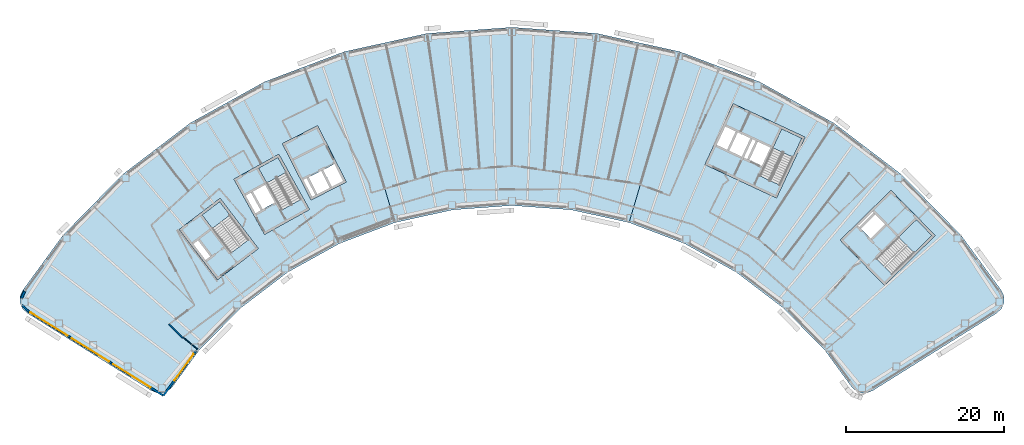
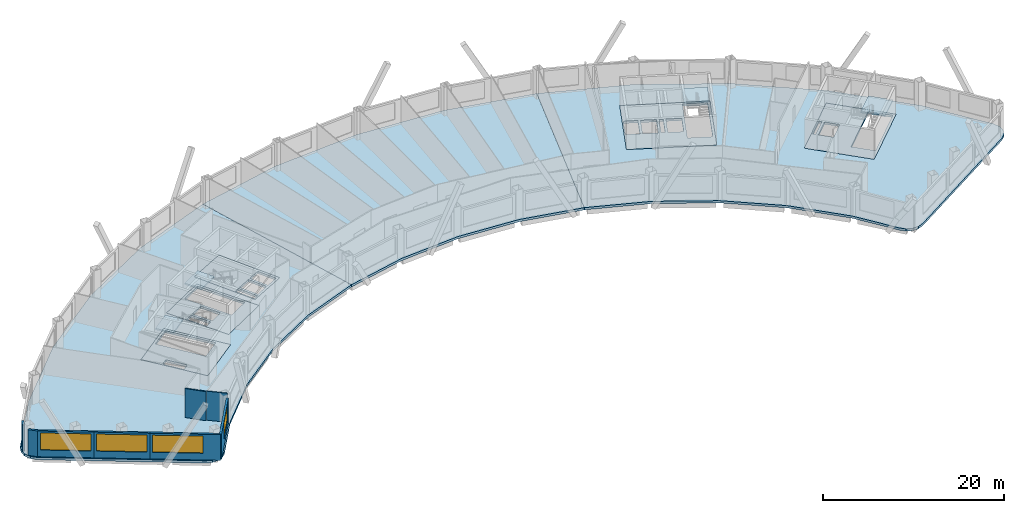
# One storey, part 4 of 13: 12 slabs, 8 walls, 4 windows, 4 openings, 4 elements without a shape of their own.
"""IFC4 building model written with IfcOpenShell, lengths in metres."""

from ifc_helpers import new_model, si_unit, direction, frame, frame_2d, origin, place, context, subcontext, project, spatial, polyline, rectangle, outline, extrude, material, layer, layer_set, type_object, element, fill, aggregate, save


model = new_model("IFC4")

# Units and contexts
model_context = context("Model", 3, precision=1e-05, world=origin(), true_north=direction((0.0, 1.0)))
body_context = subcontext(model_context, "Body", "Model", "MODEL_VIEW")
ifc_project = project(units=[si_unit("LENGTHUNIT", "METRE"), si_unit("AREAUNIT", "SQUARE_METRE"), si_unit("VOLUMEUNIT", "CUBIC_METRE"), si_unit("PLANEANGLEUNIT", "RADIAN"), si_unit("MASSUNIT", "GRAM", prefix="KILO")], contexts=[model_context])

# Site, building, storey
site_placement = place(None, origin())
site = spatial("IfcSite", under=ifc_project, at=site_placement, CompositionType="ELEMENT")
building_placement = place(site_placement, origin())
building = spatial("IfcBuilding", under=site, at=building_placement, Name="Tuul Gate Civic Tower", CompositionType="ELEMENT")
storey_placement = place(building_placement, frame((0.0, 0.0, 180.5)))
storey = spatial("IfcBuildingStorey", under=building, at=storey_placement, Name="Level 41", CompositionType="ELEMENT", Elevation=180.5)

# Slabs
ifc_material_1 = material(Name="Concrete C40/50", Category="concrete")
ifc_layer_1 = layer(ifc_material_1, 0.300048828125)
ifc_layer_set_1 = layer_set([ifc_layer_1], Name="Concrete C40/50")
slab_type_1 = type_object("IfcSlabType", Name="Core floor slab 300", PredefinedType="FLOOR", material=ifc_layer_set_1)
slab_1_placement = place(storey_placement, frame((0.0, 0.0, -0.300048828125)))
element("IfcSlab", 1, at=slab_1_placement, inside=storey, type_object=slab_type_1, Name="FLOOR SLAB", PredefinedType="FLOOR", context=body_context, shape_type="SweptSolid", body=[
    extrude(outline(polyline([(-31.10009765625, -13.7890625), (-35.946044921875, -7.423828125), (-41.11767578125, -11.361572265625), (-36.271484375, -17.726806640625), (-31.10009765625, -13.7890625)]), holes=[polyline([(-37.19287109375, -14.783203125), (-38.737548828125, -12.75439453125), (-39.45361328125, -13.299560546875), (-37.908935546875, -15.328369140625), (-37.19287109375, -14.783203125)]), polyline([(-32.33935546875, -12.65771484375), (-34.56591796875, -14.352783203125), (-38.229736328125, -9.54052734375), (-36.003173828125, -7.845458984375), (-32.33935546875, -12.65771484375)])]), origin(), (0.0, 0.0, 1.0), 0.300048828125),
])
slab_2_placement = place(storey_placement, frame((0.0, 0.0, -0.300048828125)))
element("IfcSlab", 2, at=slab_2_placement, inside=storey, type_object=slab_type_1, Name="FLOOR SLAB", PredefinedType="FLOOR", context=body_context, shape_type="SweptSolid", body=[
    extrude(outline(polyline([(-24.638916015625, -8.846923828125), (-28.51708984375, -1.849853515625), (-34.2021484375, -5.0009765625), (-30.32421875, -11.998046875), (-24.638916015625, -8.846923828125)]), holes=[polyline([(-29.0185546875, -7.958740234375), (-30.254638671875, -5.728515625), (-31.785400390625, -6.576904296875), (-30.54931640625, -8.80712890625), (-29.0185546875, -7.958740234375)]), polyline([(-30.8115234375, -8.95263671875), (-32.047607421875, -6.72216796875), (-32.8349609375, -7.158447265625), (-31.5986328125, -9.388916015625), (-30.8115234375, -8.95263671875)]), polyline([(-25.702392578125, -7.548828125), (-28.14990234375, -8.905517578125), (-31.08203125, -3.615234375), (-28.63427734375, -2.2587890625), (-25.702392578125, -7.548828125)])]), origin(), (0.0, 0.0, 1.0), 0.300048828125),
])
slab_3_placement = place(storey_placement, frame((0.0, 0.0, -0.300048828125)))
element("IfcSlab", 3, at=slab_3_placement, inside=storey, type_object=slab_type_1, Name="FLOOR SLAB", PredefinedType="FLOOR", context=body_context, shape_type="SweptSolid", body=[
    extrude(outline(polyline([(48.117919921875, -18.43310546875), (54.545166015625, -12.1328125), (48.945068359375, -6.419921875), (42.517822265625, -12.719970703125), (48.117919921875, -18.43310546875)]), holes=[polyline([(46.373779296875, -12.510986328125), (48.19482421875, -10.725830078125), (46.969970703125, -9.47607421875), (45.14892578125, -11.26123046875), (46.373779296875, -12.510986328125)]), polyline([(44.93896484375, -11.046875), (46.760009765625, -9.261962890625), (46.514892578125, -9.011962890625), (44.69384765625, -10.797119140625), (44.93896484375, -11.046875)]), polyline([(49.086181640625, -17.062744140625), (47.12744140625, -15.064208984375), (52.160888671875, -10.130126953125), (54.11962890625, -12.128662109375), (49.086181640625, -17.062744140625)])]), origin(), (0.0, 0.0, 1.0), 0.300048828125),
])
slab_4_placement = place(storey_placement, frame((0.0, 0.0, -0.300048828125)))
element("IfcSlab", 4, at=slab_4_placement, inside=storey, type_object=slab_type_1, Name="FLOOR SLAB", PredefinedType="FLOOR", context=body_context, shape_type="SweptSolid", body=[
    extrude(outline(polyline([(34.465087890625, -7.385986328125), (38.056884765625, 0.31787109375), (28.993896484375, 4.543701171875), (25.40185546875, -3.159912109375), (34.465087890625, -7.385986328125)]), holes=[polyline([(32.60888671875, -3.32080078125), (33.6865234375, -1.009765625), (32.1005859375, -0.27001953125), (31.02294921875, -2.581298828125), (32.60888671875, -3.32080078125)]), polyline([(30.0712890625, -2.137451171875), (31.14892578125, 0.173583984375), (29.562744140625, 0.9130859375), (28.4853515625, -1.39794921875), (30.0712890625, -2.137451171875)]), polyline([(30.751220703125, -2.454345703125), (31.82861328125, -0.143310546875), (31.4208984375, 0.046875), (30.34326171875, -2.264404296875), (30.751220703125, -2.454345703125)]), polyline([(28.21337890625, -1.27099609375), (29.291015625, 1.0400390625), (27.8408203125, 1.71630859375), (26.76318359375, -0.594970703125), (28.21337890625, -1.27099609375)]), polyline([(34.889892578125, -5.7626953125), (32.353759765625, -4.580078125), (35.120849609375, 1.354736328125), (37.6572265625, 0.17236328125), (34.889892578125, -5.7626953125)])]), origin(), (0.0, 0.0, 1.0), 0.300048828125),
])
ifc_material_2 = material(Name="Concrete C40/50", Category="concrete")
ifc_layer_2 = layer(ifc_material_2, 0.300048828125)
ifc_layer_set_2 = layer_set([ifc_layer_2], Name="Concrete C40/50")
slab_type_2 = type_object("IfcSlabType", Name="Core floor slab 300 non-bearing", PredefinedType="FLOOR", material=ifc_layer_set_2)
slab_5_placement = place(storey_placement, frame((0.0, 0.0, -0.300048828125)))
element("IfcSlab", 5, at=slab_5_placement, inside=storey, type_object=slab_type_2, Name="FLOOR SLAB", PredefinedType="FLOOR", context=body_context, shape_type="SweptSolid", body=[
    extrude(outline(polyline([(-19.98095703125, -5.365966796875), (-23.613037109375, 1.761962890625), (-28.068115234375, -0.508056640625), (-24.43603515625, -7.635986328125), (-19.98095703125, -5.365966796875)]), holes=[polyline([(-20.384521484375, -5.23486328125), (-21.47412109375, -3.096435546875), (-22.899658203125, -3.822998046875), (-21.81005859375, -5.961181640625), (-20.384521484375, -5.23486328125)]), polyline([(-22.077392578125, -6.097412109375), (-23.1669921875, -3.958984375), (-24.726318359375, -4.753662109375), (-23.63671875, -6.89208984375), (-22.077392578125, -6.097412109375)]), polyline([(-23.8359375, -7.161865234375), (-24.99365234375, -4.889892578125), (-25.5283203125, -5.162109375), (-24.37060546875, -7.434326171875), (-23.8359375, -7.161865234375)])]), origin(), (0.0, 0.0, 1.0), 0.300048828125),
])

# Stair, slab
ifc_material_3 = material(Name="Concrete C40/50", Category="concrete")
stair_type = type_object("IfcStairType", Name="Exit stair", PredefinedType="HALF_TURN_STAIR", material=ifc_material_3)
stair_1_placement = place(storey_placement, origin())
stair_1 = element("IfcStair", 6, at=stair_1_placement, inside=storey, type_object=stair_type, Name="Level 41 ST-1", PredefinedType="HALF_TURN_STAIR")
ifc_material_4 = material(Name="Concrete C40/50", Category="concrete")
ifc_layer_3 = layer(ifc_material_4, 0.199951171875)
ifc_layer_set_3 = layer_set([ifc_layer_3], Name="Concrete C40/50")
slab_type_3 = type_object("IfcSlabType", Name="Exit stair landing", PredefinedType="LANDING", material=ifc_layer_set_3)
slab_6_placement = place(storey_placement, frame((0.0, 0.0, 1.89990234375)))
slab_6 = element("IfcSlab", 7, at=slab_6_placement, type_object=slab_type_3, Name="ST-1 landing 1", PredefinedType="LANDING", context=body_context, shape_type="SweptSolid", body=[
    extrude(outline(polyline([(-34.699462890625, -9.554931640625), (-36.9287109375, -11.252197265625), (-38.23193359375, -9.540283203125), (-36.0029296875, -7.843017578125), (-34.699462890625, -9.554931640625)])), origin(), (0.0, 0.0, 1.0), 0.2001953125),
])
aggregate(stair_1, [slab_6])

stair_2_placement = place(storey_placement, origin())
stair_2 = element("IfcStair", 8, at=stair_2_placement, inside=storey, type_object=stair_type, Name="Level 41 ST-2", PredefinedType="HALF_TURN_STAIR")
slab_7_placement = place(storey_placement, frame((0.0, 0.0, 1.89990234375)))
slab_7 = element("IfcSlab", 9, at=slab_7_placement, type_object=slab_type_3, Name="ST-2 landing 1", PredefinedType="LANDING", context=body_context, shape_type="SweptSolid", body=[
    extrude(outline(polyline([(-27.5908203125, -4.138427734375), (-30.041015625, -5.49658203125), (-31.084228515625, -3.61474609375), (-28.6337890625, -2.256591796875), (-27.5908203125, -4.138427734375)])), origin(), (0.0, 0.0, 1.0), 0.2001953125),
])
aggregate(stair_2, [slab_7])

stair_3_placement = place(storey_placement, origin())
stair_3 = element("IfcStair", 10, at=stair_3_placement, inside=storey, type_object=stair_type, Name="Level 41 ST-3", PredefinedType="HALF_TURN_STAIR")
slab_8_placement = place(storey_placement, frame((0.0, 0.0, 1.89990234375)))
slab_8 = element("IfcSlab", 11, at=slab_8_placement, type_object=slab_type_3, Name="ST-3 landing 1", PredefinedType="LANDING", context=body_context, shape_type="SweptSolid", body=[
    extrude(outline(polyline([(51.871337890625, -14.3349609375), (49.91015625, -12.334228515625), (52.160888671875, -10.1279296875), (54.1220703125, -12.128662109375), (51.871337890625, -14.3349609375)])), origin(), (0.0, 0.0, 1.0), 0.2001953125),
])
aggregate(stair_3, [slab_8])

stair_4_placement = place(storey_placement, origin())
stair_4 = element("IfcStair", 12, at=stair_4_placement, inside=storey, type_object=stair_type, Name="Level 41 ST-4", PredefinedType="HALF_TURN_STAIR")
slab_9_placement = place(storey_placement, frame((0.0, 0.0, 1.89990234375)))
slab_9 = element("IfcSlab", 13, at=slab_9_placement, type_object=slab_type_3, Name="ST-4 landing 1", PredefinedType="LANDING", context=body_context, shape_type="SweptSolid", body=[
    extrude(outline(polyline([(36.538818359375, -2.230224609375), (33.999755859375, -1.046142578125), (35.1201171875, 1.35693359375), (37.659423828125, 0.173095703125), (36.538818359375, -2.230224609375)])), origin(), (0.0, 0.0, 1.0), 0.2001953125),
])
aggregate(stair_4, [slab_9])

# Slabs
ifc_material_5 = material(Name="Concrete C35/45", Category="concrete")
ifc_layer_4 = layer(ifc_material_5, 0.300048828125)
ifc_layer_set_4 = layer_set([ifc_layer_4], Name="Concrete C35/45")
slab_type_4 = type_object("IfcSlabType", Name="STR-FLOOR-SLAB-300", PredefinedType="FLOOR", material=ifc_layer_set_4)
slab_10_placement = place(storey_placement, frame((0.0, 0.0, -0.300048828125)))
element("IfcSlab", 14, at=slab_10_placement, inside=storey, type_object=slab_type_4, Name="Level 41/slab/W", PredefinedType="FLOOR", context=body_context, shape_type="SweptSolid", body=[
    extrude(outline(polyline([(-20.843994140625, -13.154052734375), (-13.823974609375, -10.4990234375), (-20.258056640625, 11.123046875), (-30.326904296875, 7.31494140625), (-39.740966796875, 2.096923828125), (-48.305908203125, -4.424072265625), (-55.841064453125, -12.111083984375), (-60.922119140625, -19.06689453125), (-61.258056640625, -19.81103515625), (-61.27001953125, -20.6259765625), (-60.955078125, -21.37890625), (-60.365966796875, -21.943115234375), (-44.635986328125, -31.77197265625), (-43.94189453125, -32.04296875), (-43.197021484375, -32.0400390625), (-42.5048828125, -31.764892578125), (-41.9609375, -31.256103515625), (-38.632080078125, -26.697998046875), (-33.37890625, -21.337890625), (-27.407958984375, -16.7919921875), (-20.843994140625, -13.154052734375)]), holes=[polyline([(-31.10009765625, -13.7890625), (-36.27197265625, -17.72705078125), (-41.117919921875, -11.362060546875), (-35.946044921875, -7.424072265625), (-31.10009765625, -13.7890625)]), polyline([(-24.638916015625, -8.846923828125), (-30.323974609375, -11.998046875), (-34.201904296875, -5.0009765625), (-28.51708984375, -1.85009765625), (-24.638916015625, -8.846923828125)]), polyline([(-24.43603515625, -7.635986328125), (-28.068115234375, -0.508056640625), (-23.613037109375, 1.761962890625), (-19.98095703125, -5.365966796875), (-24.43603515625, -7.635986328125)])]), origin(), (0.0, 0.0, 1.0), 0.300048828125),
])
slab_11_placement = place(storey_placement, frame((0.0, 0.0, -0.300048828125)))
element("IfcSlab", 15, at=slab_11_placement, inside=storey, type_object=slab_type_4, Name="Level 41/slab/M", PredefinedType="FLOOR", context=body_context, shape_type="SweptSolid", body=[
    extrude(outline(polyline([(15.803955078125, -10.4990234375), (22.238037109375, 11.123046875), (11.72607421875, 13.43994140625), (0.989990234375, 14.217041015625), (-9.74609375, 13.43994140625), (-20.258056640625, 11.123046875), (-13.823974609375, -10.4990234375), (-6.4951171875, -8.884033203125), (0.989990234375, -8.342041015625), (8.47509765625, -8.884033203125), (15.803955078125, -10.4990234375)])), origin(), (0.0, 0.0, 1.0), 0.300048828125),
])
slab_12_placement = place(storey_placement, frame((0.0, 0.0, -0.300048828125)))
element("IfcSlab", 16, at=slab_12_placement, inside=storey, type_object=slab_type_4, Name="Level 41/slab/E", PredefinedType="FLOOR", context=body_context, shape_type="SweptSolid", body=[
    extrude(outline(polyline([(45.922119140625, -32.04296875), (46.615966796875, -31.77197265625), (62.345947265625, -21.943115234375), (62.93505859375, -21.37890625), (63.25, -20.6259765625), (63.238037109375, -19.81103515625), (62.90087890625, -19.06689453125), (57.821044921875, -12.111083984375), (50.284912109375, -4.424072265625), (41.720947265625, 2.096923828125), (32.306884765625, 7.31494140625), (22.238037109375, 11.123046875), (15.803955078125, -10.4990234375), (22.823974609375, -13.154052734375), (29.387939453125, -16.7919921875), (35.35888671875, -21.337890625), (40.612060546875, -26.697998046875), (43.94091796875, -31.256103515625), (44.485107421875, -31.764892578125), (45.177001953125, -32.0400390625), (45.922119140625, -32.04296875)]), holes=[polyline([(48.117919921875, -18.43310546875), (42.51806640625, -12.719970703125), (48.945068359375, -6.419921875), (54.544921875, -12.133056640625), (48.117919921875, -18.43310546875)]), polyline([(25.402099609375, -3.159912109375), (28.993896484375, 4.5439453125), (38.056884765625, 0.318115234375), (34.465087890625, -7.385986328125), (25.402099609375, -3.159912109375)])]), origin(), (0.0, 0.0, 1.0), 0.300048828125),
])

# Walls
ifc_material_6 = material(Name="Gypsum board partition")
ifc_layer_5 = layer(ifc_material_6, 0.14990234375)
ifc_layer_set_5 = layer_set([ifc_layer_5], Name="Gypsum board partition")
wall_type_1 = type_object("IfcWallType", Name="Corridor wall P150", PredefinedType="PARTITIONING", material=ifc_layer_set_5)
wall_1_placement = place(storey_placement, frame((-42.405029296875, -23.3681640625, 0.0), z_axis=(0.0, 0.0, 1.0), x_axis=(0.706037915468, -0.708174033639, 0.0)))
element("IfcWall", 17, at=wall_1_placement, inside=storey, type_object=wall_type_1, Name="p060", PredefinedType="PARTITIONING", context=body_context, shape_type="SweptSolid", body=[
    extrude(rectangle(XDim=2.400146484375, YDim=0.14990234375, at=frame_2d((1.2001953125, 0.0))), origin(), (0.0, 0.0, 1.0), 3.89990234375),
])
ifc_material_7 = material(Name="Precast concrete C40/50", Category="concrete")
ifc_layer_6 = layer(ifc_material_7, 0.25)
ifc_layer_set_6 = layer_set([ifc_layer_6], Name="Precast concrete C40/50")
wall_type_2 = type_object("IfcWallType", Name="External wall", PredefinedType="STANDARD", material=ifc_layer_set_6)
wall_2_placement = place(storey_placement, frame((-60.686279296875, -19.207763671875, 0.0), z_axis=(0.0, 0.0, 1.0), x_axis=(-0.413528765966, -0.910491054167, 0.0)))
element("IfcWall", 18, at=wall_2_placement, inside=storey, type_object=wall_type_2, Name="External wall", PredefinedType="STANDARD", context=body_context, shape_type="SweptSolid", body=[
    extrude(rectangle(XDim=0.939208984375, YDim=0.25, at=frame_2d((0.4697265625, 0.0))), origin(), (0.0, 0.0, 1.0), 3.449951171875),
])
wall_3_placement = place(storey_placement, frame((-60.996826171875, -20.962890625, 0.0), z_axis=(0.0, 0.0, 1.0), x_axis=(0.722107994372, -0.691780344087, 0.0)))
element("IfcWall", 19, at=wall_3_placement, inside=storey, type_object=wall_type_2, Name="External wall", PredefinedType="STANDARD", context=body_context, shape_type="SweptSolid", body=[
    extrude(rectangle(XDim=1.102783203125, YDim=0.25, at=frame_2d((0.55126953125, 0.0))), origin(), (0.0, 0.0, 1.0), 3.449951171875),
])

# Wall, opening, window
wall_4_placement = place(storey_placement, frame((-60.220703125, -21.7099609375, 0.0), z_axis=(0.0, 0.0, 1.0), x_axis=(0.848042669488, -0.529927948619, 0.0)))
wall_4 = element("IfcWall", 20, at=wall_4_placement, inside=storey, type_object=wall_type_2, Name="External wall", PredefinedType="STANDARD", context=body_context, shape_type="SweptSolid", body=[
    extrude(rectangle(XDim=6.1826171875, YDim=0.25, at=frame_2d((3.09130859375, 0.0))), origin(), (0.0, 0.0, 1.0), 3.449951171875),
])
opening_1_placement = place(wall_4_placement, frame((0.31640625, 0.0, 0.89990234375)))
opening_1 = element("IfcOpeningElement", 21, at=opening_1_placement, cuts=wall_4, Name="Opening W24", PredefinedType="OPENING", context=body_context, shape_type="SweptSolid", body=[
    extrude(rectangle(XDim=5.550048828125, YDim=2.300048828125, at=frame_2d((2.77490234375, 1.14990234375))), frame((0.0, 0.135009765625, 0.0), z_axis=(0.0, -1.0, 0.0), x_axis=(1.0, 0.0, 0.0)), (0.0, 0.0, 1.0), 0.27001953125),
])
ifc_material_8 = material(Name="Glass", Category="glass")
window_type_1 = type_object("IfcWindowType", Name="Window W24 5550 x 2300", PartitioningType="SINGLE_PANEL", PredefinedType="WINDOW", material=ifc_material_8)
window_1_placement = place(opening_1_placement, origin())
window_1 = element("IfcWindow", 22, at=window_1_placement, inside=storey, type_object=window_type_1, Name="Window", OverallHeight=2.300048828125, OverallWidth=5.550048828125, PartitioningType="SINGLE_PANEL", PredefinedType="WINDOW", context=body_context, shape_type="SweptSolid", body=[
    extrude(rectangle(XDim=5.550048828125, YDim=2.300048828125, at=frame_2d((2.77490234375, 1.14990234375))), frame((0.0, 0.030029296875, 0.0), z_axis=(0.0, -1.0, 0.0), x_axis=(1.0, 0.0, 0.0)), (0.0, 0.0, 1.0), 0.06005859375),
])
fill(opening_1, window_1)

wall_5_placement = place(storey_placement, frame((-54.9775390625, -24.986328125, 0.0), z_axis=(0.0, 0.0, 1.0), x_axis=(0.848053758074, -0.529910203164, 0.0)))
wall_5 = element("IfcWall", 23, at=wall_5_placement, inside=storey, type_object=wall_type_2, Name="External wall", PredefinedType="STANDARD", context=body_context, shape_type="SweptSolid", body=[
    extrude(rectangle(XDim=6.182861328125, YDim=0.25, at=frame_2d((3.09130859375, 0.0))), origin(), (0.0, 0.0, 1.0), 3.449951171875),
])
opening_2_placement = place(wall_5_placement, frame((0.31640625, 0.0, 0.89990234375)))
opening_2 = element("IfcOpeningElement", 24, at=opening_2_placement, cuts=wall_5, Name="Opening W24", PredefinedType="OPENING", context=body_context, shape_type="SweptSolid", body=[
    extrude(rectangle(XDim=5.550048828125, YDim=2.300048828125, at=frame_2d((2.77490234375, 1.14990234375))), frame((0.0, 0.135009765625, 0.0), z_axis=(0.0, -1.0, 0.0), x_axis=(1.0, 0.0, 0.0)), (0.0, 0.0, 1.0), 0.27001953125),
])
window_2_placement = place(opening_2_placement, origin())
window_2 = element("IfcWindow", 25, at=window_2_placement, inside=storey, type_object=window_type_1, Name="Window", OverallHeight=2.300048828125, OverallWidth=5.550048828125, PartitioningType="SINGLE_PANEL", PredefinedType="WINDOW", context=body_context, shape_type="SweptSolid", body=[
    extrude(rectangle(XDim=5.550048828125, YDim=2.300048828125, at=frame_2d((2.77490234375, 1.14990234375))), frame((0.0, 0.030029296875, 0.0), z_axis=(0.0, -1.0, 0.0), x_axis=(1.0, 0.0, 0.0)), (0.0, 0.0, 1.0), 0.06005859375),
])
fill(opening_2, window_2)

wall_6_placement = place(storey_placement, frame((-49.734130859375, -28.2626953125, 0.0), z_axis=(0.0, 0.0, 1.0), x_axis=(0.848047613046, -0.52992003737, 0.0)))
wall_6 = element("IfcWall", 26, at=wall_6_placement, inside=storey, type_object=wall_type_2, Name="External wall", PredefinedType="STANDARD", context=body_context, shape_type="SweptSolid", body=[
    extrude(rectangle(XDim=7.787841796875, YDim=0.25, at=frame_2d((3.89404296875, 0.0))), origin(), (0.0, 0.0, 1.0), 3.449951171875),
])
opening_3_placement = place(wall_6_placement, frame((0.31640625, 0.0, 0.89990234375)))
opening_3 = element("IfcOpeningElement", 27, at=opening_3_placement, cuts=wall_6, Name="Opening W24", PredefinedType="OPENING", context=body_context, shape_type="SweptSolid", body=[
    extrude(rectangle(XDim=5.550048828125, YDim=2.300048828125, at=frame_2d((2.77490234375, 1.14990234375))), frame((0.0, 0.135009765625, 0.0), z_axis=(0.0, -1.0, 0.0), x_axis=(1.0, 0.0, 0.0)), (0.0, 0.0, 1.0), 0.27001953125),
])
window_3_placement = place(opening_3_placement, origin())
window_3 = element("IfcWindow", 28, at=window_3_placement, inside=storey, type_object=window_type_1, Name="Window", OverallHeight=2.300048828125, OverallWidth=5.550048828125, PartitioningType="SINGLE_PANEL", PredefinedType="WINDOW", context=body_context, shape_type="SweptSolid", body=[
    extrude(rectangle(XDim=5.550048828125, YDim=2.300048828125, at=frame_2d((2.77490234375, 1.14990234375))), frame((0.0, 0.030029296875, 0.0), z_axis=(0.0, -1.0, 0.0), x_axis=(1.0, 0.0, 0.0)), (0.0, 0.0, 1.0), 0.06005859375),
])
fill(opening_3, window_3)

wall_7_placement = place(storey_placement, frame((-43.129638671875, -32.3896484375, 0.0), z_axis=(0.0, 0.0, 1.0), x_axis=(0.589748783254, 0.807586758591, 0.0)))
wall_7 = element("IfcWall", 29, at=wall_7_placement, inside=storey, type_object=wall_type_2, Name="External wall", PredefinedType="STANDARD", context=body_context, shape_type="SweptSolid", body=[
    extrude(rectangle(XDim=6.97216796875, YDim=0.25, at=frame_2d((3.486083984375, 0.0))), origin(), (0.0, 0.0, 1.0), 3.449951171875),
])
opening_4_placement = place(wall_7_placement, frame((2.357666015625, 0.0, 0.89990234375)))
opening_4 = element("IfcOpeningElement", 30, at=opening_4_placement, cuts=wall_7, Name="Opening W25", PredefinedType="OPENING", context=body_context, shape_type="SweptSolid", body=[
    extrude(rectangle(XDim=4.14990234375, YDim=2.300048828125, at=frame_2d((2.074951171875, 1.14990234375))), frame((0.0, 0.135009765625, 0.0), z_axis=(0.0, -1.0, 0.0), x_axis=(1.0, 0.0, 0.0)), (0.0, 0.0, 1.0), 0.27001953125),
])
ifc_material_9 = material(Name="Glass", Category="glass")
window_type_2 = type_object("IfcWindowType", Name="Window W25 4150 x 2300", PartitioningType="SINGLE_PANEL", PredefinedType="WINDOW", material=ifc_material_9)
window_4_placement = place(opening_4_placement, origin())
window_4 = element("IfcWindow", 31, at=window_4_placement, inside=storey, type_object=window_type_2, Name="Window", OverallHeight=2.300048828125, OverallWidth=4.14990234375, PartitioningType="SINGLE_PANEL", PredefinedType="WINDOW", context=body_context, shape_type="SweptSolid", body=[
    extrude(rectangle(XDim=4.14990234375, YDim=2.300048828125, at=frame_2d((2.074951171875, 1.14990234375))), frame((0.0, 0.030029296875, 0.0), z_axis=(0.0, -1.0, 0.0), x_axis=(1.0, 0.0, 0.0)), (0.0, 0.0, 1.0), 0.06005859375),
])
fill(opening_4, window_4)

# Wall
ifc_material_10 = material(Name="Gypsum board partition")
ifc_layer_7 = layer(ifc_material_10, 0.10009765625)
ifc_layer_set_7 = layer_set([ifc_layer_7], Name="Gypsum board partition")
wall_type_3 = type_object("IfcWallType", Name="Partition P100", PredefinedType="PARTITIONING", material=ifc_layer_set_7)
wall_8_placement = place(storey_placement, frame((-40.6279296875, -25.006103515625, 0.0), z_axis=(0.0, 0.0, 1.0), x_axis=(0.76280943071, -0.646623362105, 0.0)))
element("IfcWall", 32, at=wall_8_placement, inside=storey, type_object=wall_type_3, Name="p059", PredefinedType="PARTITIONING", context=body_context, shape_type="SweptSolid", body=[
    extrude(rectangle(XDim=2.344970703125, YDim=0.10009765625, at=frame_2d((1.17236328125, 0.0))), origin(), (0.0, 0.0, 1.0), 3.89990234375),
])

save(model, "model.ifc")
